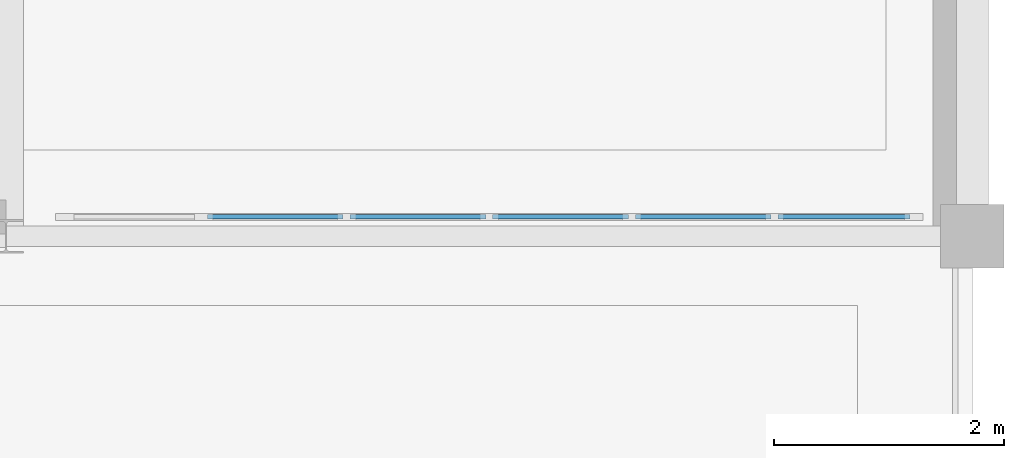
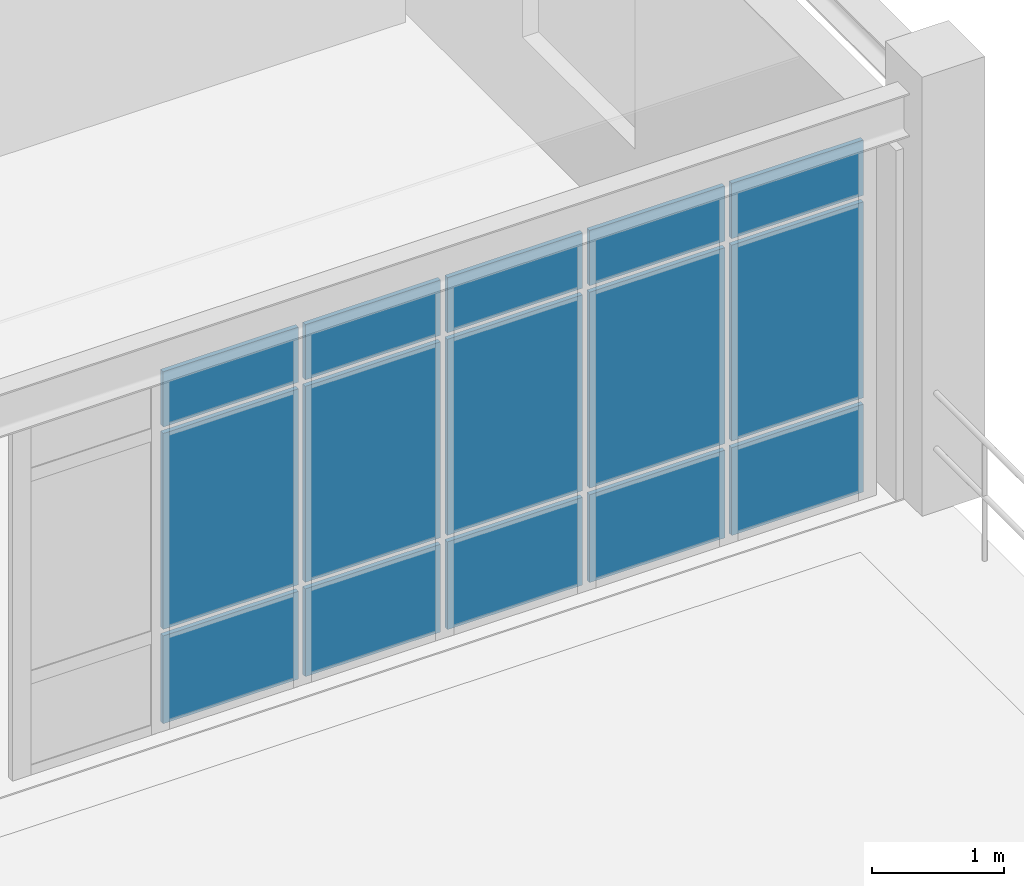
# One storey, part 39 of 58: 15 plates, 1 element without a shape of its own.
"""IFC4 building model written with IfcOpenShell, lengths in metres."""

from ifc_helpers import new_model, si_unit, derived_unit, direction, frame, origin, origin_2d, place, context, subcontext, project, spatial, rectangle, extrude, material, layer, layer_set, type_object, element, aggregate, save


model = new_model("IFC4")

# Units and contexts
model_context = context("Model", 3, precision=1e-05, world=origin(), true_north=direction((0.0, 1.0)))
body_context = subcontext(model_context, "Body", "Model", "MODEL_VIEW")
ifc_project = project(units=[si_unit("LENGTHUNIT", "METRE"), si_unit("AREAUNIT", "SQUARE_METRE"), si_unit("VOLUMEUNIT", "CUBIC_METRE"), si_unit("PLANEANGLEUNIT", "RADIAN"), si_unit("MASSUNIT", "GRAM", prefix="KILO"), derived_unit("THERMALTRANSMITTANCEUNIT", [(si_unit("POWERUNIT", "WATT"), 1), (si_unit("AREAUNIT", "SQUARE_METRE"), -1), (si_unit("THERMODYNAMICTEMPERATUREUNIT", "KELVIN"), -1)])], contexts=[model_context])

# Site, building, storey
site_placement = place(None, origin())
site = spatial("IfcSite", under=ifc_project, at=site_placement, CompositionType="ELEMENT")
building_placement = place(site_placement, origin())
building = spatial("IfcBuilding", under=site, at=building_placement, Name="Yasenodar Specialist Clinic", CompositionType="ELEMENT")
storey_placement = place(building_placement, frame((0.0, 0.0, 17.25)))
storey = spatial("IfcBuildingStorey", under=building, at=storey_placement, Name="L04", CompositionType="ELEMENT", Elevation=17.25)

# Curtain wall, plates
ifc_material_1 = material(Name="Bronze Anodized Aluminium and Triple Low-E Glass", Category="aluminium")
ifc_layer_1 = layer(ifc_material_1, 0.215087890625)
ifc_layer_set_1 = layer_set([ifc_layer_1], Name="Bronze Anodized Aluminium and Triple Low-E Glass")
curtain_wall_type = type_object("IfcCurtainWallType", Name="CW-SYS-05", PredefinedType="USERDEFINED", material=ifc_layer_set_1)
curtain_wall_placement = place(storey_placement, origin())
curtain_wall = element("IfcCurtainWall", 1, at=curtain_wall_placement, inside=storey, type_object=curtain_wall_type, Name="L04 Unitised Curtain Wall 162", ObjectType="UNITISED CURTAIN WALL", PredefinedType="USERDEFINED")
ifc_material_2 = material(Name="Triple Low-E Argon Glazing", Category="glass")
ifc_layer_2 = layer(ifc_material_2, 0.0400390625)
ifc_layer_set_2 = layer_set([ifc_layer_2], Name="Triple Low-E Argon Glazing")
plate_type = type_object("IfcPlateType", Name="CW-PAN-3", PredefinedType="CURTAIN_PANEL", material=ifc_layer_set_2)
plate_1_placement = place(storey_placement, frame((120.68505859375, 90.169921875, 0.06005859375), z_axis=(0.0, 0.0, 1.0), x_axis=(-1.0, 0.0, 0.0)))
plate_1 = element("IfcPlate", 2, at=plate_1_placement, type_object=plate_type, Name="CW-05 panel 1.1", PredefinedType="CURTAIN_PANEL", context=body_context, shape_type="SweptSolid", body=[
    extrude(rectangle(XDim=1.14990234375, YDim=0.0400390625, at=origin_2d()), origin(), (0.0, 0.0, 1.0), 0.81005859375),
])
plate_2_placement = place(storey_placement, frame((120.68505859375, 90.169921875, 0.929931640625), z_axis=(0.0, 0.0, 1.0), x_axis=(-1.0, 0.0, 0.0)))
plate_2 = element("IfcPlate", 3, at=plate_2_placement, type_object=plate_type, Name="CW-05 panel 1.2", PredefinedType="CURTAIN_PANEL", context=body_context, shape_type="SweptSolid", body=[
    extrude(rectangle(XDim=1.14990234375, YDim=0.0400390625, at=origin_2d()), origin(), (0.0, 0.0, 1.0), 1.80810546875),
])
plate_3_placement = place(storey_placement, frame((120.68505859375, 90.169921875, 2.7978515625), z_axis=(0.0, 0.0, 1.0), x_axis=(-1.0, 0.0, 0.0)))
plate_3 = element("IfcPlate", 4, at=plate_3_placement, type_object=plate_type, Name="CW-05 panel 1.3", PredefinedType="CURTAIN_PANEL", context=body_context, shape_type="SweptSolid", body=[
    extrude(rectangle(XDim=1.14990234375, YDim=0.0400390625, at=origin_2d()), origin(), (0.0, 0.0, 1.0), 0.510009765625),
])
plate_4_placement = place(storey_placement, frame((119.4599609375, 90.169921875, 0.06005859375), z_axis=(0.0, 0.0, 1.0), x_axis=(-1.0, 0.0, 0.0)))
plate_4 = element("IfcPlate", 5, at=plate_4_placement, type_object=plate_type, Name="CW-05 panel 2.1", PredefinedType="CURTAIN_PANEL", context=body_context, shape_type="SweptSolid", body=[
    extrude(rectangle(XDim=1.179931640625, YDim=0.0400390625, at=origin_2d()), origin(), (0.0, 0.0, 1.0), 0.81005859375),
])
plate_5_placement = place(storey_placement, frame((119.4599609375, 90.169921875, 0.929931640625), z_axis=(0.0, 0.0, 1.0), x_axis=(-1.0, 0.0, 0.0)))
plate_5 = element("IfcPlate", 6, at=plate_5_placement, type_object=plate_type, Name="CW-05 panel 2.2", PredefinedType="CURTAIN_PANEL", context=body_context, shape_type="SweptSolid", body=[
    extrude(rectangle(XDim=1.179931640625, YDim=0.0400390625, at=origin_2d()), origin(), (0.0, 0.0, 1.0), 1.80810546875),
])
plate_6_placement = place(storey_placement, frame((119.4599609375, 90.169921875, 2.7978515625), z_axis=(0.0, 0.0, 1.0), x_axis=(-1.0, 0.0, 0.0)))
plate_6 = element("IfcPlate", 7, at=plate_6_placement, type_object=plate_type, Name="CW-05 panel 2.3", PredefinedType="CURTAIN_PANEL", context=body_context, shape_type="SweptSolid", body=[
    extrude(rectangle(XDim=1.179931640625, YDim=0.0400390625, at=origin_2d()), origin(), (0.0, 0.0, 1.0), 0.510009765625),
])
plate_7_placement = place(storey_placement, frame((118.219970703125, 90.169921875, 0.06005859375), z_axis=(0.0, 0.0, 1.0), x_axis=(-1.0, 0.0, 0.0)))
plate_7 = element("IfcPlate", 8, at=plate_7_placement, type_object=plate_type, Name="CW-05 panel 3.1", PredefinedType="CURTAIN_PANEL", context=body_context, shape_type="SweptSolid", body=[
    extrude(rectangle(XDim=1.179931640625, YDim=0.0400390625, at=origin_2d()), origin(), (0.0, 0.0, 1.0), 0.81005859375),
])
plate_8_placement = place(storey_placement, frame((118.219970703125, 90.169921875, 0.929931640625), z_axis=(0.0, 0.0, 1.0), x_axis=(-1.0, 0.0, 0.0)))
plate_8 = element("IfcPlate", 9, at=plate_8_placement, type_object=plate_type, Name="CW-05 panel 3.2", PredefinedType="CURTAIN_PANEL", context=body_context, shape_type="SweptSolid", body=[
    extrude(rectangle(XDim=1.179931640625, YDim=0.0400390625, at=origin_2d()), origin(), (0.0, 0.0, 1.0), 1.80810546875),
])
plate_9_placement = place(storey_placement, frame((118.219970703125, 90.169921875, 2.7978515625), z_axis=(0.0, 0.0, 1.0), x_axis=(-1.0, 0.0, 0.0)))
plate_9 = element("IfcPlate", 10, at=plate_9_placement, type_object=plate_type, Name="CW-05 panel 3.3", PredefinedType="CURTAIN_PANEL", context=body_context, shape_type="SweptSolid", body=[
    extrude(rectangle(XDim=1.179931640625, YDim=0.0400390625, at=origin_2d()), origin(), (0.0, 0.0, 1.0), 0.510009765625),
])
plate_10_placement = place(storey_placement, frame((116.97998046875, 90.169921875, 0.06005859375), z_axis=(0.0, 0.0, 1.0), x_axis=(-1.0, 0.0, 0.0)))
plate_10 = element("IfcPlate", 11, at=plate_10_placement, type_object=plate_type, Name="CW-05 panel 4.1", PredefinedType="CURTAIN_PANEL", context=body_context, shape_type="SweptSolid", body=[
    extrude(rectangle(XDim=1.179931640625, YDim=0.0400390625, at=origin_2d()), origin(), (0.0, 0.0, 1.0), 0.81005859375),
])
plate_11_placement = place(storey_placement, frame((116.97998046875, 90.169921875, 0.929931640625), z_axis=(0.0, 0.0, 1.0), x_axis=(-1.0, 0.0, 0.0)))
plate_11 = element("IfcPlate", 12, at=plate_11_placement, type_object=plate_type, Name="CW-05 panel 4.2", PredefinedType="CURTAIN_PANEL", context=body_context, shape_type="SweptSolid", body=[
    extrude(rectangle(XDim=1.179931640625, YDim=0.0400390625, at=origin_2d()), origin(), (0.0, 0.0, 1.0), 1.80810546875),
])
plate_12_placement = place(storey_placement, frame((116.97998046875, 90.169921875, 2.7978515625), z_axis=(0.0, 0.0, 1.0), x_axis=(-1.0, 0.0, 0.0)))
plate_12 = element("IfcPlate", 13, at=plate_12_placement, type_object=plate_type, Name="CW-05 panel 4.3", PredefinedType="CURTAIN_PANEL", context=body_context, shape_type="SweptSolid", body=[
    extrude(rectangle(XDim=1.179931640625, YDim=0.0400390625, at=origin_2d()), origin(), (0.0, 0.0, 1.0), 0.510009765625),
])
plate_13_placement = place(storey_placement, frame((115.739990234375, 90.169921875, 0.06005859375), z_axis=(0.0, 0.0, 1.0), x_axis=(-1.0, 0.0, 0.0)))
plate_13 = element("IfcPlate", 14, at=plate_13_placement, type_object=plate_type, Name="CW-05 panel 5.1", PredefinedType="CURTAIN_PANEL", context=body_context, shape_type="SweptSolid", body=[
    extrude(rectangle(XDim=1.179931640625, YDim=0.0400390625, at=origin_2d()), origin(), (0.0, 0.0, 1.0), 0.81005859375),
])
plate_14_placement = place(storey_placement, frame((115.739990234375, 90.169921875, 0.929931640625), z_axis=(0.0, 0.0, 1.0), x_axis=(-1.0, 0.0, 0.0)))
plate_14 = element("IfcPlate", 15, at=plate_14_placement, type_object=plate_type, Name="CW-05 panel 5.2", PredefinedType="CURTAIN_PANEL", context=body_context, shape_type="SweptSolid", body=[
    extrude(rectangle(XDim=1.179931640625, YDim=0.0400390625, at=origin_2d()), origin(), (0.0, 0.0, 1.0), 1.80810546875),
])
plate_15_placement = place(storey_placement, frame((115.739990234375, 90.169921875, 2.7978515625), z_axis=(0.0, 0.0, 1.0), x_axis=(-1.0, 0.0, 0.0)))
plate_15 = element("IfcPlate", 16, at=plate_15_placement, type_object=plate_type, Name="CW-05 panel 5.3", PredefinedType="CURTAIN_PANEL", context=body_context, shape_type="SweptSolid", body=[
    extrude(rectangle(XDim=1.179931640625, YDim=0.0400390625, at=origin_2d()), origin(), (0.0, 0.0, 1.0), 0.510009765625),
])
aggregate(curtain_wall, [plate_1, plate_2, plate_3, plate_4, plate_5, plate_6, plate_7, plate_8, plate_9, plate_10, plate_11, plate_12, plate_13, plate_14, plate_15])

save(model, "model.ifc")
